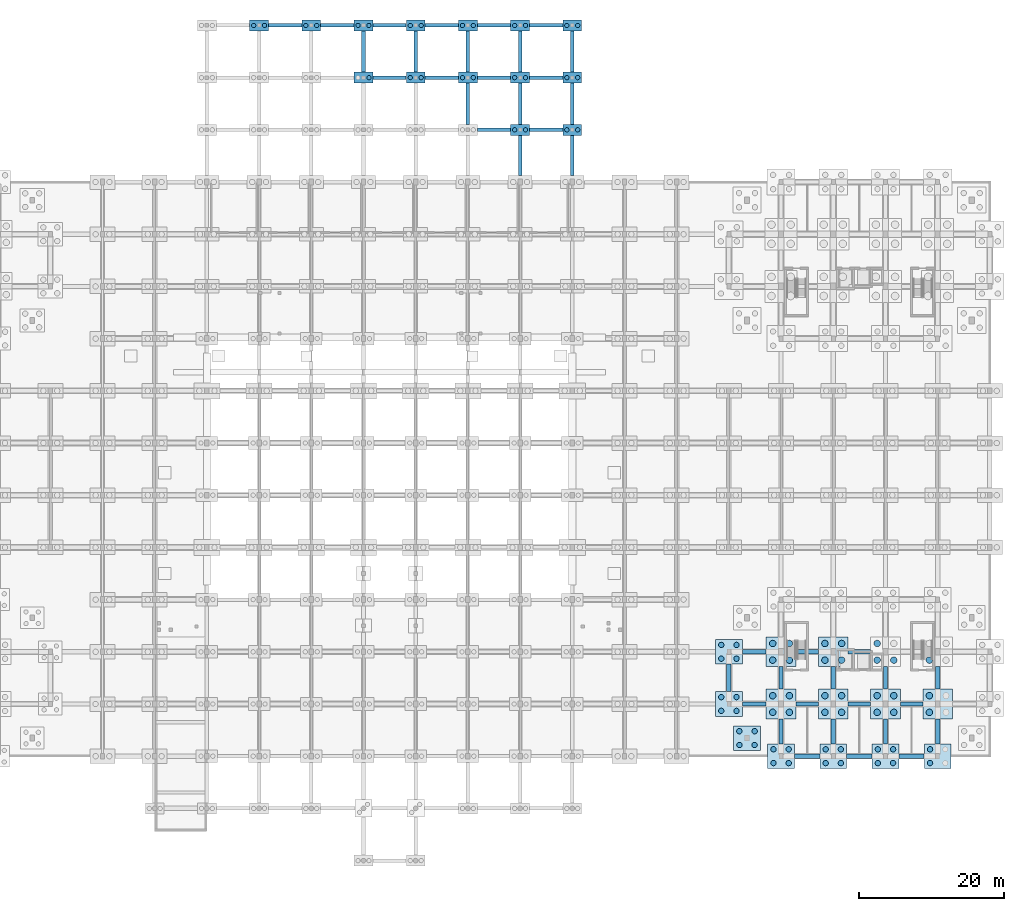
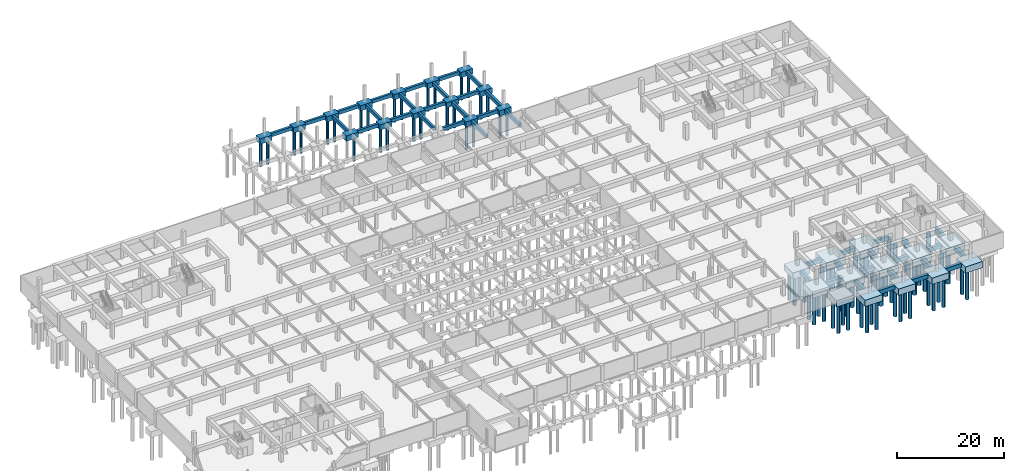
# One storey, part 12 of 36: 79 piles, 68 footings.
"""IFC4 building model written with IfcOpenShell, lengths in metres."""

from ifc_helpers import new_model, si_unit, direction, frame, origin, origin_2d, place, context, subcontext, project, spatial, rectangle, circle, extrude, material, material_profile, profile_set, type_object, element, save


model = new_model("IFC4")

# Units and contexts
model_context = context("Model", 3, precision=1e-05, world=origin(), true_north=direction((0.0, 1.0)))
body_context = subcontext(model_context, "Body", "Model", "MODEL_VIEW")
ifc_project = project(units=[si_unit("LENGTHUNIT", "METRE"), si_unit("AREAUNIT", "SQUARE_METRE"), si_unit("VOLUMEUNIT", "CUBIC_METRE"), si_unit("PLANEANGLEUNIT", "RADIAN"), si_unit("MASSUNIT", "GRAM", prefix="KILO")], contexts=[model_context])

# Site, building, storey
site_placement = place(None, origin())
site = spatial("IfcSite", under=ifc_project, at=site_placement, CompositionType="ELEMENT")
building_placement = place(site_placement, origin())
building = spatial("IfcBuilding", under=site, at=building_placement, Name="Ochrevale Crest", CompositionType="ELEMENT")
storey_placement = place(building_placement, frame((0.0, 0.0, -3.60009765625)))
storey = spatial("IfcBuildingStorey", under=building, at=storey_placement, Name="B1", CompositionType="ELEMENT", Elevation=-3.60009765625)

# Footings
ifc_material = material(Name="Concrete C40/50", Category="concrete")
footing_type_1 = type_object("IfcFootingType", Name="CAP-PC02", PredefinedType="PILE_CAP", material=ifc_material)
for number, where, z_axis, x_axis, name in (
    (1, (136.800048828125, 21.60009765625, -1.81005859375), (0.0, 0.0, 1.0), (1.0, 0.0, 0.0), "Pile cap PC02-265"),
    (2, (136.800048828125, 28.800048828125, -1.81005859375), (0.0, 0.0, 1.0), (1.0, 0.0, 0.0), "Pile cap PC02-266"),
    (3, (144.0, 21.60009765625, -1.81005859375), (0.0, 0.0, 1.0), (1.0, 0.0, 0.0), "Pile cap PC02-277"),
    (4, (144.0, 28.800048828125, -1.81005859375), (0.0, 0.0, 1.0), (1.0, 0.0, 0.0), "Pile cap PC02-278"),
    (5, (151.199951171875, 21.60009765625, -1.81005859375), (0.0, 0.0, 1.0), (1.0, 0.0, 0.0), "Pile cap PC02-289"),
    (6, (158.39990234375, 21.60009765625, -1.81005859375), (0.0, 0.0, 1.0), (1.0, 0.0, 0.0), "Pile cap PC02-301"),
):
    element("IfcFooting", number, at=place(storey_placement, frame(where, z_axis=z_axis, x_axis=x_axis)), inside=storey, type_object=footing_type_1, Name=name, PredefinedType="PILE_CAP", context=body_context, shape_type="SweptSolid", body=[
        extrude(rectangle(XDim=4.10009765625, YDim=4.10009765625, at=origin_2d()), origin(), (0.0, 0.0, 1.0), 1.550048828125),
    ])
footing_type_2 = type_object("IfcFootingType", Name="CAP-PC06", PredefinedType="PILE_CAP", material=ifc_material)
for number, where, z_axis, x_axis, name in (
    (7, (129.60009765625, 21.60009765625, -1.7099609375), (0.0, 0.0, 1.0), (1.0, 0.0, 0.0), "Pile cap PC06-252"),
    (8, (129.60009765625, 28.800048828125, -1.7099609375), (0.0, 0.0, 1.0), (1.0, 0.0, 0.0), "Pile cap PC06-253"),
    (9, (132.10009765625, 16.89990234375, -1.7099609375), (0.0, 0.0, 1.0), (1.0, 0.0, 0.0), "Pile cap PC06-260"),
    (10, (136.800048828125, 14.39990234375, -1.7099609375), (0.0, 0.0, 1.0), (1.0, 0.0, 0.0), "Pile cap PC06-264"),
    (11, (144.0, 14.39990234375, -1.7099609375), (0.0, 0.0, 1.0), (1.0, 0.0, 0.0), "Pile cap PC06-276"),
    (12, (151.199951171875, 14.39990234375, -1.7099609375), (0.0, 0.0, 1.0), (1.0, 0.0, 0.0), "Pile cap PC06-288"),
    (13, (158.39990234375, 14.39990234375, -1.7099609375), (0.0, 0.0, 1.0), (1.0, 0.0, 0.0), "Pile cap PC06-300"),
):
    element("IfcFooting", number, at=place(storey_placement, frame(where, z_axis=z_axis, x_axis=x_axis)), inside=storey, type_object=footing_type_2, Name=name, PredefinedType="PILE_CAP", context=body_context, shape_type="SweptSolid", body=[
        extrude(rectangle(XDim=3.699951171875, YDim=3.39990234375, at=origin_2d()), origin(), (0.0, 0.0, 1.0), 1.449951171875),
    ])
footing_type_3 = type_object("IfcFootingType", Name="CAP-PC15", PredefinedType="PILE_CAP", material=ifc_material)
for number, where, z_axis, x_axis, name in (
    (14, (64.800048828125, 115.199951171875, -1.4599609375), (0.0, 0.0, 1.0), (1.0, 0.0, 0.0), "Pile cap PC15-129"),
    (15, (72.0, 115.199951171875, -1.4599609375), (0.0, 0.0, 1.0), (1.0, 0.0, 0.0), "Pile cap PC15-145"),
    (16, (79.199951171875, 108.0, -1.4599609375), (0.0, 0.0, 1.0), (1.0, 0.0, 0.0), "Pile cap PC15-161"),
    (17, (79.199951171875, 115.199951171875, -1.4599609375), (0.0, 0.0, 1.0), (1.0, 0.0, 0.0), "Pile cap PC15-162"),
    (18, (86.39990234375, 108.0, -1.4599609375), (0.0, 0.0, 1.0), (1.0, 0.0, 0.0), "Pile cap PC15-178"),
    (19, (86.39990234375, 115.199951171875, -1.4599609375), (0.0, 0.0, 1.0), (1.0, 0.0, 0.0), "Pile cap PC15-179"),
    (20, (93.60009765625, 108.0, -1.4599609375), (0.0, 0.0, 1.0), (1.0, 0.0, 0.0), "Pile cap PC15-194"),
    (21, (93.60009765625, 115.199951171875, -1.4599609375), (0.0, 0.0, 1.0), (1.0, 0.0, 0.0), "Pile cap PC15-195"),
    (22, (100.800048828125, 100.800048828125, -1.4599609375), (0.0, 0.0, 1.0), (1.0, 0.0, 0.0), "Pile cap PC15-209"),
    (23, (100.800048828125, 108.0, -1.4599609375), (0.0, 0.0, 1.0), (1.0, 0.0, 0.0), "Pile cap PC15-210"),
    (24, (100.800048828125, 115.199951171875, -1.4599609375), (0.0, 0.0, 1.0), (1.0, 0.0, 0.0), "Pile cap PC15-211"),
    (25, (108.0, 100.800048828125, -1.4599609375), (0.0, 0.0, 1.0), (1.0, 0.0, 0.0), "Pile cap PC15-225"),
    (26, (108.0, 108.0, -1.4599609375), (0.0, 0.0, 1.0), (1.0, 0.0, 0.0), "Pile cap PC15-226"),
    (27, (108.0, 115.199951171875, -1.4599609375), (0.0, 0.0, 1.0), (1.0, 0.0, 0.0), "Pile cap PC15-227"),
):
    element("IfcFooting", number, at=place(storey_placement, frame(where, z_axis=z_axis, x_axis=x_axis)), inside=storey, type_object=footing_type_3, Name=name, PredefinedType="PILE_CAP", context=body_context, shape_type="SweptSolid", body=[
        extrude(rectangle(XDim=2.60009765625, YDim=1.5, at=origin_2d()), origin(), (0.0, 0.0, 1.0), 1.199951171875),
    ])
ifc_material_profile_1 = material_profile(ifc_material, rectangle(XDim=0.5, YDim=0.800048828125, at=origin_2d()), Name="GB 500x800")
ifc_profile_set_1 = profile_set([ifc_material_profile_1], Name="Concrete C40/50")
footing_type_4 = type_object("IfcFootingType", Name="FTG-GB500x800", PredefinedType="FOOTING_BEAM", material=ifc_profile_set_1)
for number, where, z_axis, x_axis, name in (
    (28, (66.10205078125, 115.199951171875, -0.659912109375), (1.0, 0.0, 0.0), (0.0, 1.0, 0.0), "Foundation tie beam GB2-224"),
    (29, (73.302001953125, 115.199951171875, -0.659912109375), (1.0, 0.0, 0.0), (0.0, 1.0, 0.0), "Foundation tie beam GB2-255"),
    (30, (80.501953125, 108.0, -0.659912109375), (1.0, 0.0, 0.0), (0.0, 1.0, 0.0), "Foundation tie beam GB2-286"),
):
    element("IfcFooting", number, at=place(storey_placement, frame(where, z_axis=z_axis, x_axis=x_axis)), inside=storey, type_object=footing_type_4, Name=name, PredefinedType="FOOTING_BEAM", context=body_context, shape_type="SweptSolid", body=[
        extrude(rectangle(XDim=0.5, YDim=0.800048828125, at=origin_2d()), origin(), (0.0, 0.0, 1.0), 4.595947265625),
    ])
footing_1_placement = place(storey_placement, frame((79.199951171875, 108.751953125, -0.659912109375), z_axis=(0.0, 1.0, 0.0), x_axis=(-1.0, 0.0, 0.0)))
element("IfcFooting", 31, at=footing_1_placement, inside=storey, type_object=footing_type_4, Name="Foundation tie beam GB2-287", PredefinedType="FOOTING_BEAM", context=body_context, shape_type="SweptSolid", body=[
    extrude(rectangle(XDim=0.5, YDim=0.800048828125, at=origin_2d()), origin(), (0.0, 0.0, 1.0), 5.696044921875),
])
footing_2_placement = place(storey_placement, frame((80.501953125, 115.199951171875, -0.659912109375), z_axis=(1.0, 0.0, 0.0), x_axis=(0.0, 1.0, 0.0)))
element("IfcFooting", 32, at=footing_2_placement, inside=storey, type_object=footing_type_4, Name="Foundation tie beam GB2-288", PredefinedType="FOOTING_BEAM", context=body_context, shape_type="SweptSolid", body=[
    extrude(rectangle(XDim=0.5, YDim=0.800048828125, at=origin_2d()), origin(), (0.0, 0.0, 1.0), 4.595947265625),
])
footing_3_placement = place(storey_placement, frame((87.701904296875, 108.0, -0.659912109375), z_axis=(1.0, 0.0, 0.0), x_axis=(0.0, 1.0, 0.0)))
element("IfcFooting", 33, at=footing_3_placement, inside=storey, type_object=footing_type_4, Name="Foundation tie beam GB2-318", PredefinedType="FOOTING_BEAM", context=body_context, shape_type="SweptSolid", body=[
    extrude(rectangle(XDim=0.5, YDim=0.800048828125, at=origin_2d()), origin(), (0.0, 0.0, 1.0), 4.59619140625),
])
footing_4_placement = place(storey_placement, frame((86.39990234375, 108.751953125, -0.659912109375), z_axis=(0.0, 1.0, 0.0), x_axis=(-1.0, 0.0, 0.0)))
element("IfcFooting", 34, at=footing_4_placement, inside=storey, type_object=footing_type_4, Name="Foundation tie beam GB2-319", PredefinedType="FOOTING_BEAM", context=body_context, shape_type="SweptSolid", body=[
    extrude(rectangle(XDim=0.5, YDim=0.800048828125, at=origin_2d()), origin(), (0.0, 0.0, 1.0), 5.696044921875),
])
footing_5_placement = place(storey_placement, frame((87.701904296875, 115.199951171875, -0.659912109375), z_axis=(1.0, 0.0, 0.0), x_axis=(0.0, 1.0, 0.0)))
element("IfcFooting", 35, at=footing_5_placement, inside=storey, type_object=footing_type_4, Name="Foundation tie beam GB2-320", PredefinedType="FOOTING_BEAM", context=body_context, shape_type="SweptSolid", body=[
    extrude(rectangle(XDim=0.5, YDim=0.800048828125, at=origin_2d()), origin(), (0.0, 0.0, 1.0), 4.59619140625),
])
footing_6_placement = place(storey_placement, frame((94.902099609375, 100.800048828125, -0.659912109375), z_axis=(1.0, 0.0, 0.0), x_axis=(0.0, 1.0, 0.0)))
element("IfcFooting", 36, at=footing_6_placement, inside=storey, type_object=footing_type_4, Name="Foundation tie beam GB2-347", PredefinedType="FOOTING_BEAM", context=body_context, shape_type="SweptSolid", body=[
    extrude(rectangle(XDim=0.5, YDim=0.800048828125, at=origin_2d()), origin(), (0.0, 0.0, 1.0), 4.595947265625),
])
footing_7_placement = place(storey_placement, frame((93.60009765625, 101.552001953125, -0.659912109375), z_axis=(0.0, 1.0, 0.0), x_axis=(-1.0, 0.0, 0.0)))
element("IfcFooting", 37, at=footing_7_placement, inside=storey, type_object=footing_type_4, Name="Foundation tie beam GB2-348", PredefinedType="FOOTING_BEAM", context=body_context, shape_type="SweptSolid", body=[
    extrude(rectangle(XDim=0.5, YDim=0.800048828125, at=origin_2d()), origin(), (0.0, 0.0, 1.0), 5.696044921875),
])
footing_8_placement = place(storey_placement, frame((94.902099609375, 108.0, -0.659912109375), z_axis=(1.0, 0.0, 0.0), x_axis=(0.0, 1.0, 0.0)))
element("IfcFooting", 38, at=footing_8_placement, inside=storey, type_object=footing_type_4, Name="Foundation tie beam GB2-349", PredefinedType="FOOTING_BEAM", context=body_context, shape_type="SweptSolid", body=[
    extrude(rectangle(XDim=0.5, YDim=0.800048828125, at=origin_2d()), origin(), (0.0, 0.0, 1.0), 4.595947265625),
])
footing_9_placement = place(storey_placement, frame((93.60009765625, 108.751953125, -0.659912109375), z_axis=(0.0, 1.0, 0.0), x_axis=(-1.0, 0.0, 0.0)))
element("IfcFooting", 39, at=footing_9_placement, inside=storey, type_object=footing_type_4, Name="Foundation tie beam GB2-350", PredefinedType="FOOTING_BEAM", context=body_context, shape_type="SweptSolid", body=[
    extrude(rectangle(XDim=0.5, YDim=0.800048828125, at=origin_2d()), origin(), (0.0, 0.0, 1.0), 5.696044921875),
])
footing_10_placement = place(storey_placement, frame((94.902099609375, 115.199951171875, -0.659912109375), z_axis=(1.0, 0.0, 0.0), x_axis=(0.0, 1.0, 0.0)))
element("IfcFooting", 40, at=footing_10_placement, inside=storey, type_object=footing_type_4, Name="Foundation tie beam GB2-351", PredefinedType="FOOTING_BEAM", context=body_context, shape_type="SweptSolid", body=[
    extrude(rectangle(XDim=0.5, YDim=0.800048828125, at=origin_2d()), origin(), (0.0, 0.0, 1.0), 4.595947265625),
])
footing_11_placement = place(storey_placement, frame((100.800048828125, 94.527099609375, -0.659912109375), z_axis=(0.0, 1.0, 0.0), x_axis=(-1.0, 0.0, 0.0)))
element("IfcFooting", 41, at=footing_11_placement, inside=storey, type_object=footing_type_4, Name="Foundation tie beam GB2-377", PredefinedType="FOOTING_BEAM", context=body_context, shape_type="SweptSolid", body=[
    extrude(rectangle(XDim=0.5, YDim=0.800048828125, at=origin_2d()), origin(), (0.0, 0.0, 1.0), 5.52099609375),
])
footing_12_placement = place(storey_placement, frame((102.10205078125, 100.800048828125, -0.659912109375), z_axis=(1.0, 0.0, 0.0), x_axis=(0.0, 1.0, 0.0)))
element("IfcFooting", 42, at=footing_12_placement, inside=storey, type_object=footing_type_4, Name="Foundation tie beam GB2-378", PredefinedType="FOOTING_BEAM", context=body_context, shape_type="SweptSolid", body=[
    extrude(rectangle(XDim=0.5, YDim=0.800048828125, at=origin_2d()), origin(), (0.0, 0.0, 1.0), 4.595947265625),
])
footing_13_placement = place(storey_placement, frame((100.800048828125, 101.552001953125, -0.659912109375), z_axis=(0.0, 1.0, 0.0), x_axis=(-1.0, 0.0, 0.0)))
element("IfcFooting", 43, at=footing_13_placement, inside=storey, type_object=footing_type_4, Name="Foundation tie beam GB2-379", PredefinedType="FOOTING_BEAM", context=body_context, shape_type="SweptSolid", body=[
    extrude(rectangle(XDim=0.5, YDim=0.800048828125, at=origin_2d()), origin(), (0.0, 0.0, 1.0), 5.696044921875),
])
footing_14_placement = place(storey_placement, frame((102.10205078125, 108.0, -0.659912109375), z_axis=(1.0, 0.0, 0.0), x_axis=(0.0, 1.0, 0.0)))
element("IfcFooting", 44, at=footing_14_placement, inside=storey, type_object=footing_type_4, Name="Foundation tie beam GB2-380", PredefinedType="FOOTING_BEAM", context=body_context, shape_type="SweptSolid", body=[
    extrude(rectangle(XDim=0.5, YDim=0.800048828125, at=origin_2d()), origin(), (0.0, 0.0, 1.0), 4.595947265625),
])
footing_15_placement = place(storey_placement, frame((100.800048828125, 108.751953125, -0.659912109375), z_axis=(0.0, 1.0, 0.0), x_axis=(-1.0, 0.0, 0.0)))
element("IfcFooting", 45, at=footing_15_placement, inside=storey, type_object=footing_type_4, Name="Foundation tie beam GB2-381", PredefinedType="FOOTING_BEAM", context=body_context, shape_type="SweptSolid", body=[
    extrude(rectangle(XDim=0.5, YDim=0.800048828125, at=origin_2d()), origin(), (0.0, 0.0, 1.0), 5.696044921875),
])
footing_16_placement = place(storey_placement, frame((102.10205078125, 115.199951171875, -0.659912109375), z_axis=(1.0, 0.0, 0.0), x_axis=(0.0, 1.0, 0.0)))
element("IfcFooting", 46, at=footing_16_placement, inside=storey, type_object=footing_type_4, Name="Foundation tie beam GB2-382", PredefinedType="FOOTING_BEAM", context=body_context, shape_type="SweptSolid", body=[
    extrude(rectangle(XDim=0.5, YDim=0.800048828125, at=origin_2d()), origin(), (0.0, 0.0, 1.0), 4.595947265625),
])
footing_17_placement = place(storey_placement, frame((108.0, 94.527099609375, -0.659912109375), z_axis=(0.0, 1.0, 0.0), x_axis=(-1.0, 0.0, 0.0)))
element("IfcFooting", 47, at=footing_17_placement, inside=storey, type_object=footing_type_4, Name="Foundation tie beam GB2-407", PredefinedType="FOOTING_BEAM", context=body_context, shape_type="SweptSolid", body=[
    extrude(rectangle(XDim=0.5, YDim=0.800048828125, at=origin_2d()), origin(), (0.0, 0.0, 1.0), 5.52099609375),
])
for number, where, z_axis, x_axis, name in (
    (48, (108.0, 101.552001953125, -0.659912109375), (0.0, 1.0, 0.0), (-1.0, 0.0, 0.0), "Foundation tie beam GB2-408"),
    (49, (108.0, 108.751953125, -0.659912109375), (0.0, 1.0, 0.0), (-1.0, 0.0, 0.0), "Foundation tie beam GB2-409"),
):
    element("IfcFooting", number, at=place(storey_placement, frame(where, z_axis=z_axis, x_axis=x_axis)), inside=storey, type_object=footing_type_4, Name=name, PredefinedType="FOOTING_BEAM", context=body_context, shape_type="SweptSolid", body=[
        extrude(rectangle(XDim=0.5, YDim=0.800048828125, at=origin_2d()), origin(), (0.0, 0.0, 1.0), 5.696044921875),
    ])
ifc_material_profile_2 = material_profile(ifc_material, rectangle(XDim=0.60009765625, YDim=0.89990234375, at=origin_2d()), Name="GB 600x900")
ifc_profile_set_2 = profile_set([ifc_material_profile_2], Name="Concrete C40/50")
footing_type_5 = type_object("IfcFootingType", Name="FTG-GB600x900", PredefinedType="FOOTING_BEAM", material=ifc_profile_set_2)
footing_18_placement = place(storey_placement, frame((131.451904296875, 21.60009765625, -0.7099609375), z_axis=(1.0, 0.0, 0.0), x_axis=(0.0, 1.0, 0.0)))
element("IfcFooting", 50, at=footing_18_placement, inside=storey, type_object=footing_type_5, Name="Foundation tie beam GB1-452", PredefinedType="FOOTING_BEAM", context=body_context, shape_type="SweptSolid", body=[
    extrude(rectangle(XDim=0.60009765625, YDim=0.89990234375, at=origin_2d()), origin(), (0.0, 0.0, 1.0), 3.296142578125),
])
footing_19_placement = place(storey_placement, frame((129.60009765625, 23.302001953125, -0.7099609375), z_axis=(0.0, 1.0, 0.0), x_axis=(-1.0, 0.0, 0.0)))
element("IfcFooting", 51, at=footing_19_placement, inside=storey, type_object=footing_type_5, Name="Foundation tie beam GB1-453", PredefinedType="FOOTING_BEAM", context=body_context, shape_type="SweptSolid", body=[
    extrude(rectangle(XDim=0.60009765625, YDim=0.89990234375, at=origin_2d()), origin(), (0.0, 0.0, 1.0), 3.7958984375),
])
footing_20_placement = place(storey_placement, frame((131.451904296875, 28.800048828125, -0.7099609375), z_axis=(1.0, 0.0, 0.0), x_axis=(0.0, 1.0, 0.0)))
element("IfcFooting", 52, at=footing_20_placement, inside=storey, type_object=footing_type_5, Name="Foundation tie beam GB1-454", PredefinedType="FOOTING_BEAM", context=body_context, shape_type="SweptSolid", body=[
    extrude(rectangle(XDim=0.60009765625, YDim=0.89990234375, at=origin_2d()), origin(), (0.0, 0.0, 1.0), 3.296142578125),
])
footing_21_placement = place(storey_placement, frame((138.652099609375, 14.39990234375, -0.7099609375), z_axis=(1.0, 0.0, 0.0), x_axis=(0.0, 1.0, 0.0)))
element("IfcFooting", 53, at=footing_21_placement, inside=storey, type_object=footing_type_5, Name="Foundation tie beam GB1-465", PredefinedType="FOOTING_BEAM", context=body_context, shape_type="SweptSolid", body=[
    extrude(rectangle(XDim=0.60009765625, YDim=0.89990234375, at=origin_2d()), origin(), (0.0, 0.0, 1.0), 3.495849609375),
])
footing_22_placement = place(storey_placement, frame((136.800048828125, 16.10205078125, -0.7099609375), z_axis=(0.0, 1.0, 0.0), x_axis=(-1.0, 0.0, 0.0)))
element("IfcFooting", 54, at=footing_22_placement, inside=storey, type_object=footing_type_5, Name="Foundation tie beam GB1-466", PredefinedType="FOOTING_BEAM", context=body_context, shape_type="SweptSolid", body=[
    extrude(rectangle(XDim=0.60009765625, YDim=0.89990234375, at=origin_2d()), origin(), (0.0, 0.0, 1.0), 3.446044921875),
])
for number, where, z_axis, x_axis, name in (
    (55, (138.85205078125, 21.60009765625, -0.7099609375), (1.0, 0.0, 0.0), (0.0, 1.0, 0.0), "Foundation tie beam GB1-467"),
    (56, (136.800048828125, 23.652099609375, -0.7099609375), (0.0, 1.0, 0.0), (-1.0, 0.0, 0.0), "Foundation tie beam GB1-468"),
    (57, (138.85205078125, 28.800048828125, -0.7099609375), (1.0, 0.0, 0.0), (0.0, 1.0, 0.0), "Foundation tie beam GB1-469"),
):
    element("IfcFooting", number, at=place(storey_placement, frame(where, z_axis=z_axis, x_axis=x_axis)), inside=storey, type_object=footing_type_5, Name=name, PredefinedType="FOOTING_BEAM", context=body_context, shape_type="SweptSolid", body=[
        extrude(rectangle(XDim=0.60009765625, YDim=0.89990234375, at=origin_2d()), origin(), (0.0, 0.0, 1.0), 3.095947265625),
    ])
footing_23_placement = place(storey_placement, frame((145.85205078125, 14.39990234375, -0.7099609375), z_axis=(1.0, 0.0, 0.0), x_axis=(0.0, 1.0, 0.0)))
element("IfcFooting", 58, at=footing_23_placement, inside=storey, type_object=footing_type_5, Name="Foundation tie beam GB1-488", PredefinedType="FOOTING_BEAM", context=body_context, shape_type="SweptSolid", body=[
    extrude(rectangle(XDim=0.60009765625, YDim=0.89990234375, at=origin_2d()), origin(), (0.0, 0.0, 1.0), 3.495849609375),
])
footing_24_placement = place(storey_placement, frame((144.0, 16.10205078125, -0.7099609375), z_axis=(0.0, 1.0, 0.0), x_axis=(-1.0, 0.0, 0.0)))
element("IfcFooting", 59, at=footing_24_placement, inside=storey, type_object=footing_type_5, Name="Foundation tie beam GB1-489", PredefinedType="FOOTING_BEAM", context=body_context, shape_type="SweptSolid", body=[
    extrude(rectangle(XDim=0.60009765625, YDim=0.89990234375, at=origin_2d()), origin(), (0.0, 0.0, 1.0), 3.446044921875),
])
for number, where, z_axis, x_axis, name in (
    (60, (146.052001953125, 21.60009765625, -0.7099609375), (1.0, 0.0, 0.0), (0.0, 1.0, 0.0), "Foundation tie beam GB1-490"),
    (61, (144.0, 23.652099609375, -0.7099609375), (0.0, 1.0, 0.0), (-1.0, 0.0, 0.0), "Foundation tie beam GB1-491"),
    (62, (146.052001953125, 28.800048828125, -0.7099609375), (1.0, 0.0, 0.0), (0.0, 1.0, 0.0), "Foundation tie beam GB1-492"),
):
    element("IfcFooting", number, at=place(storey_placement, frame(where, z_axis=z_axis, x_axis=x_axis)), inside=storey, type_object=footing_type_5, Name=name, PredefinedType="FOOTING_BEAM", context=body_context, shape_type="SweptSolid", body=[
        extrude(rectangle(XDim=0.60009765625, YDim=0.89990234375, at=origin_2d()), origin(), (0.0, 0.0, 1.0), 3.095947265625),
    ])
footing_25_placement = place(storey_placement, frame((153.052001953125, 14.39990234375, -0.7099609375), z_axis=(1.0, 0.0, 0.0), x_axis=(0.0, 1.0, 0.0)))
element("IfcFooting", 63, at=footing_25_placement, inside=storey, type_object=footing_type_5, Name="Foundation tie beam GB1-511", PredefinedType="FOOTING_BEAM", context=body_context, shape_type="SweptSolid", body=[
    extrude(rectangle(XDim=0.60009765625, YDim=0.89990234375, at=origin_2d()), origin(), (0.0, 0.0, 1.0), 3.49609375),
])
footing_26_placement = place(storey_placement, frame((151.199951171875, 16.10205078125, -0.7099609375), z_axis=(0.0, 1.0, 0.0), x_axis=(-1.0, 0.0, 0.0)))
element("IfcFooting", 64, at=footing_26_placement, inside=storey, type_object=footing_type_5, Name="Foundation tie beam GB1-512", PredefinedType="FOOTING_BEAM", context=body_context, shape_type="SweptSolid", body=[
    extrude(rectangle(XDim=0.60009765625, YDim=0.89990234375, at=origin_2d()), origin(), (0.0, 0.0, 1.0), 3.446044921875),
])
for number, where, z_axis, x_axis, name in (
    (65, (153.251953125, 21.60009765625, -0.7099609375), (1.0, 0.0, 0.0), (0.0, 1.0, 0.0), "Foundation tie beam GB1-513"),
    (66, (151.199951171875, 23.652099609375, -0.7099609375), (0.0, 1.0, 0.0), (-1.0, 0.0, 0.0), "Foundation tie beam GB1-514"),
):
    element("IfcFooting", number, at=place(storey_placement, frame(where, z_axis=z_axis, x_axis=x_axis)), inside=storey, type_object=footing_type_5, Name=name, PredefinedType="FOOTING_BEAM", context=body_context, shape_type="SweptSolid", body=[
        extrude(rectangle(XDim=0.60009765625, YDim=0.89990234375, at=origin_2d()), origin(), (0.0, 0.0, 1.0), 3.095947265625),
    ])
footing_27_placement = place(storey_placement, frame((158.39990234375, 16.10205078125, -0.7099609375), z_axis=(0.0, 1.0, 0.0), x_axis=(-1.0, 0.0, 0.0)))
element("IfcFooting", 67, at=footing_27_placement, inside=storey, type_object=footing_type_5, Name="Foundation tie beam GB1-534", PredefinedType="FOOTING_BEAM", context=body_context, shape_type="SweptSolid", body=[
    extrude(rectangle(XDim=0.60009765625, YDim=0.89990234375, at=origin_2d()), origin(), (0.0, 0.0, 1.0), 3.446044921875),
])
footing_28_placement = place(storey_placement, frame((158.39990234375, 23.652099609375, -0.7099609375), z_axis=(0.0, 1.0, 0.0), x_axis=(-1.0, 0.0, 0.0)))
element("IfcFooting", 68, at=footing_28_placement, inside=storey, type_object=footing_type_5, Name="Foundation tie beam GB1-536", PredefinedType="FOOTING_BEAM", context=body_context, shape_type="SweptSolid", body=[
    extrude(rectangle(XDim=0.60009765625, YDim=0.89990234375, at=origin_2d()), origin(), (0.0, 0.0, 1.0), 3.095947265625),
])

# Piles
ifc_material_profile_3 = material_profile(ifc_material, circle(Radius=0.300048828125, at=origin_2d()), Name="BORED PILE 600")
ifc_profile_set_3 = profile_set([ifc_material_profile_3], Name="Concrete C40/50")
pile_type_1 = type_object("IfcPileType", Name="PILE-BP600", PredefinedType="BORED", material=ifc_profile_set_3)
for number, where, z_axis, x_axis, name in (
    (69, (64.050048828125, 115.199951171875, -1.35986328125), (0.0, 0.0, -1.0), (1.0, 0.0, 0.0), "Bored pile P1-129-1"),
    (70, (65.550048828125, 115.199951171875, -1.35986328125), (0.0, 0.0, -1.0), (1.0, 0.0, 0.0), "Bored pile P1-129-2"),
    (71, (71.25, 115.199951171875, -1.35986328125), (0.0, 0.0, -1.0), (1.0, 0.0, 0.0), "Bored pile P1-145-1"),
    (72, (72.75, 115.199951171875, -1.35986328125), (0.0, 0.0, -1.0), (1.0, 0.0, 0.0), "Bored pile P1-145-2"),
    (73, (79.949951171875, 108.0, -1.35986328125), (0.0, 0.0, -1.0), (1.0, 0.0, 0.0), "Bored pile P1-161-2"),
    (74, (78.449951171875, 115.199951171875, -1.35986328125), (0.0, 0.0, -1.0), (1.0, 0.0, 0.0), "Bored pile P1-162-1"),
    (75, (79.949951171875, 115.199951171875, -1.35986328125), (0.0, 0.0, -1.0), (1.0, 0.0, 0.0), "Bored pile P1-162-2"),
    (76, (85.64990234375, 108.0, -1.35986328125), (0.0, 0.0, -1.0), (1.0, 0.0, 0.0), "Bored pile P1-178-1"),
    (77, (87.14990234375, 108.0, -1.35986328125), (0.0, 0.0, -1.0), (1.0, 0.0, 0.0), "Bored pile P1-178-2"),
    (78, (85.64990234375, 115.199951171875, -1.35986328125), (0.0, 0.0, -1.0), (1.0, 0.0, 0.0), "Bored pile P1-179-1"),
    (79, (87.14990234375, 115.199951171875, -1.35986328125), (0.0, 0.0, -1.0), (1.0, 0.0, 0.0), "Bored pile P1-179-2"),
    (80, (92.85009765625, 108.0, -1.35986328125), (0.0, 0.0, -1.0), (1.0, 0.0, 0.0), "Bored pile P1-194-1"),
    (81, (94.35009765625, 108.0, -1.35986328125), (0.0, 0.0, -1.0), (1.0, 0.0, 0.0), "Bored pile P1-194-2"),
    (82, (92.85009765625, 115.199951171875, -1.35986328125), (0.0, 0.0, -1.0), (1.0, 0.0, 0.0), "Bored pile P1-195-1"),
    (83, (94.35009765625, 115.199951171875, -1.35986328125), (0.0, 0.0, -1.0), (1.0, 0.0, 0.0), "Bored pile P1-195-2"),
    (84, (100.050048828125, 100.800048828125, -1.35986328125), (0.0, 0.0, -1.0), (1.0, 0.0, 0.0), "Bored pile P1-209-1"),
    (85, (101.550048828125, 100.800048828125, -1.35986328125), (0.0, 0.0, -1.0), (1.0, 0.0, 0.0), "Bored pile P1-209-2"),
    (86, (100.050048828125, 108.0, -1.35986328125), (0.0, 0.0, -1.0), (1.0, 0.0, 0.0), "Bored pile P1-210-1"),
    (87, (101.550048828125, 108.0, -1.35986328125), (0.0, 0.0, -1.0), (1.0, 0.0, 0.0), "Bored pile P1-210-2"),
    (88, (100.050048828125, 115.199951171875, -1.35986328125), (0.0, 0.0, -1.0), (1.0, 0.0, 0.0), "Bored pile P1-211-1"),
    (89, (101.550048828125, 115.199951171875, -1.35986328125), (0.0, 0.0, -1.0), (1.0, 0.0, 0.0), "Bored pile P1-211-2"),
    (90, (107.25, 100.800048828125, -1.35986328125), (0.0, 0.0, -1.0), (1.0, 0.0, 0.0), "Bored pile P1-225-1"),
    (91, (108.75, 100.800048828125, -1.35986328125), (0.0, 0.0, -1.0), (1.0, 0.0, 0.0), "Bored pile P1-225-2"),
    (92, (107.25, 108.0, -1.35986328125), (0.0, 0.0, -1.0), (1.0, 0.0, 0.0), "Bored pile P1-226-1"),
    (93, (108.75, 108.0, -1.35986328125), (0.0, 0.0, -1.0), (1.0, 0.0, 0.0), "Bored pile P1-226-2"),
    (94, (107.25, 115.199951171875, -1.35986328125), (0.0, 0.0, -1.0), (1.0, 0.0, 0.0), "Bored pile P1-227-1"),
    (95, (108.75, 115.199951171875, -1.35986328125), (0.0, 0.0, -1.0), (1.0, 0.0, 0.0), "Bored pile P1-227-2"),
):
    element("IfcPile", number, at=place(storey_placement, frame(where, z_axis=z_axis, x_axis=x_axis)), inside=storey, type_object=pile_type_1, Name=name, PredefinedType="BORED", context=body_context, shape_type="SweptSolid", body=[
        extrude(circle(Radius=0.300048828125, at=origin_2d()), origin(), (0.0, 0.0, 1.0), 5.639892578125),
    ])
ifc_material_profile_4 = material_profile(ifc_material, circle(Radius=0.375, at=origin_2d()), Name="BORED PILE 750")
ifc_profile_set_4 = profile_set([ifc_material_profile_4], Name="Concrete C40/50")
pile_type_2 = type_object("IfcPileType", Name="PILE-BP750", PredefinedType="BORED", material=ifc_profile_set_4)
for number, where, z_axis, x_axis, name in (
    (96, (128.550048828125, 20.64990234375, -1.60986328125), (0.0, 0.0, -1.0), (1.0, 0.0, 0.0), "Bored pile P2-252-1"),
    (97, (130.64990234375, 20.64990234375, -1.60986328125), (0.0, 0.0, -1.0), (1.0, 0.0, 0.0), "Bored pile P2-252-2"),
    (98, (128.550048828125, 22.550048828125, -1.60986328125), (0.0, 0.0, -1.0), (1.0, 0.0, 0.0), "Bored pile P2-252-3"),
    (99, (130.64990234375, 22.550048828125, -1.60986328125), (0.0, 0.0, -1.0), (1.0, 0.0, 0.0), "Bored pile P2-252-4"),
    (100, (128.550048828125, 27.85009765625, -1.60986328125), (0.0, 0.0, -1.0), (1.0, 0.0, 0.0), "Bored pile P2-253-1"),
    (101, (130.64990234375, 27.85009765625, -1.60986328125), (0.0, 0.0, -1.0), (1.0, 0.0, 0.0), "Bored pile P2-253-2"),
    (102, (128.550048828125, 29.75, -1.60986328125), (0.0, 0.0, -1.0), (1.0, 0.0, 0.0), "Bored pile P2-253-3"),
    (103, (130.64990234375, 29.75, -1.60986328125), (0.0, 0.0, -1.0), (1.0, 0.0, 0.0), "Bored pile P2-253-4"),
    (104, (131.050048828125, 15.949951171875, -1.60986328125), (0.0, 0.0, -1.0), (1.0, 0.0, 0.0), "Bored pile P2-260-1"),
    (105, (133.14990234375, 15.949951171875, -1.60986328125), (0.0, 0.0, -1.0), (1.0, 0.0, 0.0), "Bored pile P2-260-2"),
    (106, (131.050048828125, 17.85009765625, -1.60986328125), (0.0, 0.0, -1.0), (1.0, 0.0, 0.0), "Bored pile P2-260-3"),
    (107, (133.14990234375, 17.85009765625, -1.60986328125), (0.0, 0.0, -1.0), (1.0, 0.0, 0.0), "Bored pile P2-260-4"),
    (108, (135.75, 13.449951171875, -1.60986328125), (0.0, 0.0, -1.0), (1.0, 0.0, 0.0), "Bored pile P2-264-1"),
    (109, (137.85009765625, 13.449951171875, -1.60986328125), (0.0, 0.0, -1.0), (1.0, 0.0, 0.0), "Bored pile P2-264-2"),
    (110, (135.75, 15.35009765625, -1.60986328125), (0.0, 0.0, -1.0), (1.0, 0.0, 0.0), "Bored pile P2-264-3"),
    (111, (137.85009765625, 15.35009765625, -1.60986328125), (0.0, 0.0, -1.0), (1.0, 0.0, 0.0), "Bored pile P2-264-4"),
    (112, (142.949951171875, 13.449951171875, -1.60986328125), (0.0, 0.0, -1.0), (1.0, 0.0, 0.0), "Bored pile P2-276-1"),
    (113, (145.050048828125, 13.449951171875, -1.60986328125), (0.0, 0.0, -1.0), (1.0, 0.0, 0.0), "Bored pile P2-276-2"),
    (114, (142.949951171875, 15.35009765625, -1.60986328125), (0.0, 0.0, -1.0), (1.0, 0.0, 0.0), "Bored pile P2-276-3"),
    (115, (145.050048828125, 15.35009765625, -1.60986328125), (0.0, 0.0, -1.0), (1.0, 0.0, 0.0), "Bored pile P2-276-4"),
    (116, (150.14990234375, 13.449951171875, -1.60986328125), (0.0, 0.0, -1.0), (1.0, 0.0, 0.0), "Bored pile P2-288-1"),
    (117, (152.25, 13.449951171875, -1.60986328125), (0.0, 0.0, -1.0), (1.0, 0.0, 0.0), "Bored pile P2-288-2"),
    (118, (150.14990234375, 15.35009765625, -1.60986328125), (0.0, 0.0, -1.0), (1.0, 0.0, 0.0), "Bored pile P2-288-3"),
    (119, (152.25, 15.35009765625, -1.60986328125), (0.0, 0.0, -1.0), (1.0, 0.0, 0.0), "Bored pile P2-288-4"),
    (120, (157.35009765625, 13.449951171875, -1.60986328125), (0.0, 0.0, -1.0), (1.0, 0.0, 0.0), "Bored pile P2-300-1"),
    (121, (157.35009765625, 15.35009765625, -1.60986328125), (0.0, 0.0, -1.0), (1.0, 0.0, 0.0), "Bored pile P2-300-3"),
):
    element("IfcPile", number, at=place(storey_placement, frame(where, z_axis=z_axis, x_axis=x_axis)), inside=storey, type_object=pile_type_2, Name=name, PredefinedType="BORED", context=body_context, shape_type="SweptSolid", body=[
        extrude(circle(Radius=0.375, at=origin_2d()), origin(), (0.0, 0.0, 1.0), 6.590087890625),
    ])
ifc_material_profile_5 = material_profile(ifc_material, circle(Radius=0.449951171875, at=origin_2d()), Name="BORED PILE 900")
ifc_profile_set_5 = profile_set([ifc_material_profile_5], Name="Concrete C40/50")
pile_type_3 = type_object("IfcPileType", Name="PILE-BP900", PredefinedType="BORED", material=ifc_profile_set_5)
for number, where, z_axis, x_axis, name in (
    (122, (135.64990234375, 20.449951171875, -1.7099609375), (0.0, 0.0, -1.0), (1.0, 0.0, 0.0), "Bored pile P3-265-1"),
    (123, (137.949951171875, 20.449951171875, -1.7099609375), (0.0, 0.0, -1.0), (1.0, 0.0, 0.0), "Bored pile P3-265-2"),
    (124, (135.64990234375, 22.75, -1.7099609375), (0.0, 0.0, -1.0), (1.0, 0.0, 0.0), "Bored pile P3-265-3"),
    (125, (137.949951171875, 22.75, -1.7099609375), (0.0, 0.0, -1.0), (1.0, 0.0, 0.0), "Bored pile P3-265-4"),
    (126, (135.64990234375, 27.64990234375, -1.7099609375), (0.0, 0.0, -1.0), (1.0, 0.0, 0.0), "Bored pile P3-266-1"),
    (127, (137.949951171875, 27.64990234375, -1.7099609375), (0.0, 0.0, -1.0), (1.0, 0.0, 0.0), "Bored pile P3-266-2"),
    (128, (135.64990234375, 29.949951171875, -1.7099609375), (0.0, 0.0, -1.0), (1.0, 0.0, 0.0), "Bored pile P3-266-3"),
    (129, (137.949951171875, 29.949951171875, -1.7099609375), (0.0, 0.0, -1.0), (1.0, 0.0, 0.0), "Bored pile P3-266-4"),
    (130, (142.85009765625, 20.449951171875, -1.7099609375), (0.0, 0.0, -1.0), (1.0, 0.0, 0.0), "Bored pile P3-277-1"),
    (131, (145.14990234375, 20.449951171875, -1.7099609375), (0.0, 0.0, -1.0), (1.0, 0.0, 0.0), "Bored pile P3-277-2"),
    (132, (142.85009765625, 22.75, -1.7099609375), (0.0, 0.0, -1.0), (1.0, 0.0, 0.0), "Bored pile P3-277-3"),
    (133, (145.14990234375, 22.75, -1.7099609375), (0.0, 0.0, -1.0), (1.0, 0.0, 0.0), "Bored pile P3-277-4"),
    (134, (142.85009765625, 27.64990234375, -1.7099609375), (0.0, 0.0, -1.0), (1.0, 0.0, 0.0), "Bored pile P3-278-1"),
    (135, (145.14990234375, 27.64990234375, -1.7099609375), (0.0, 0.0, -1.0), (1.0, 0.0, 0.0), "Bored pile P3-278-2"),
    (136, (142.85009765625, 29.949951171875, -1.7099609375), (0.0, 0.0, -1.0), (1.0, 0.0, 0.0), "Bored pile P3-278-3"),
    (137, (145.14990234375, 29.949951171875, -1.7099609375), (0.0, 0.0, -1.0), (1.0, 0.0, 0.0), "Bored pile P3-278-4"),
    (138, (150.050048828125, 20.449951171875, -1.7099609375), (0.0, 0.0, -1.0), (1.0, 0.0, 0.0), "Bored pile P3-289-1"),
    (139, (152.35009765625, 20.449951171875, -1.7099609375), (0.0, 0.0, -1.0), (1.0, 0.0, 0.0), "Bored pile P3-289-2"),
    (140, (150.050048828125, 22.75, -1.7099609375), (0.0, 0.0, -1.0), (1.0, 0.0, 0.0), "Bored pile P3-289-3"),
    (141, (152.35009765625, 22.75, -1.7099609375), (0.0, 0.0, -1.0), (1.0, 0.0, 0.0), "Bored pile P3-289-4"),
    (142, (150.050048828125, 27.64990234375, -1.7099609375), (0.0, 0.0, -1.0), (1.0, 0.0, 0.0), "Bored pile P3-290-1"),
    (143, (152.35009765625, 27.64990234375, -1.7099609375), (0.0, 0.0, -1.0), (1.0, 0.0, 0.0), "Bored pile P3-290-2"),
    (144, (150.050048828125, 29.949951171875, -1.7099609375), (0.0, 0.0, -1.0), (1.0, 0.0, 0.0), "Bored pile P3-290-3"),
    (145, (157.25, 20.449951171875, -1.7099609375), (0.0, 0.0, -1.0), (1.0, 0.0, 0.0), "Bored pile P3-301-1"),
    (146, (157.25, 22.75, -1.7099609375), (0.0, 0.0, -1.0), (1.0, 0.0, 0.0), "Bored pile P3-301-3"),
    (147, (157.25, 27.64990234375, -1.7099609375), (0.0, 0.0, -1.0), (1.0, 0.0, 0.0), "Bored pile P3-302-1"),
):
    element("IfcPile", number, at=place(storey_placement, frame(where, z_axis=z_axis, x_axis=x_axis)), inside=storey, type_object=pile_type_3, Name=name, PredefinedType="BORED", context=body_context, shape_type="SweptSolid", body=[
        extrude(circle(Radius=0.449951171875, at=origin_2d()), origin(), (0.0, 0.0, 1.0), 7.090087890625),
    ])

save(model, "model.ifc")
